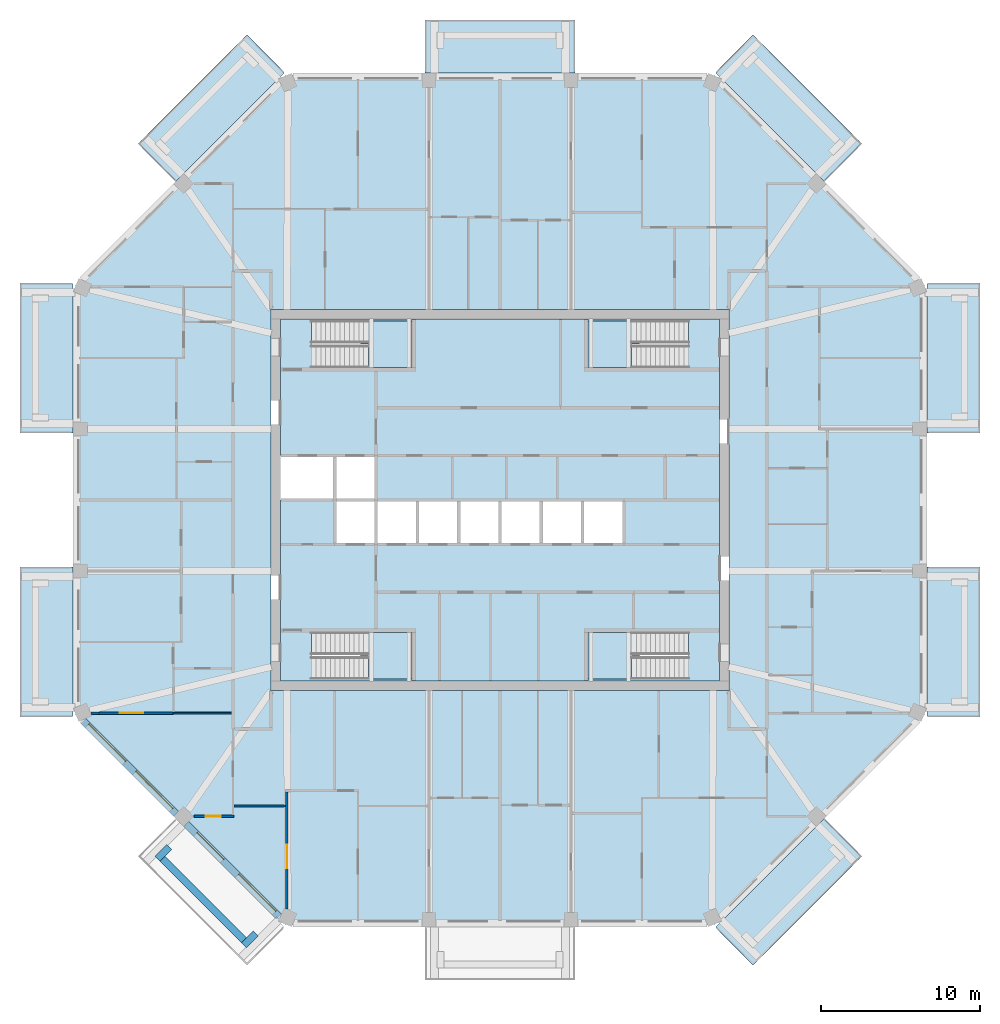
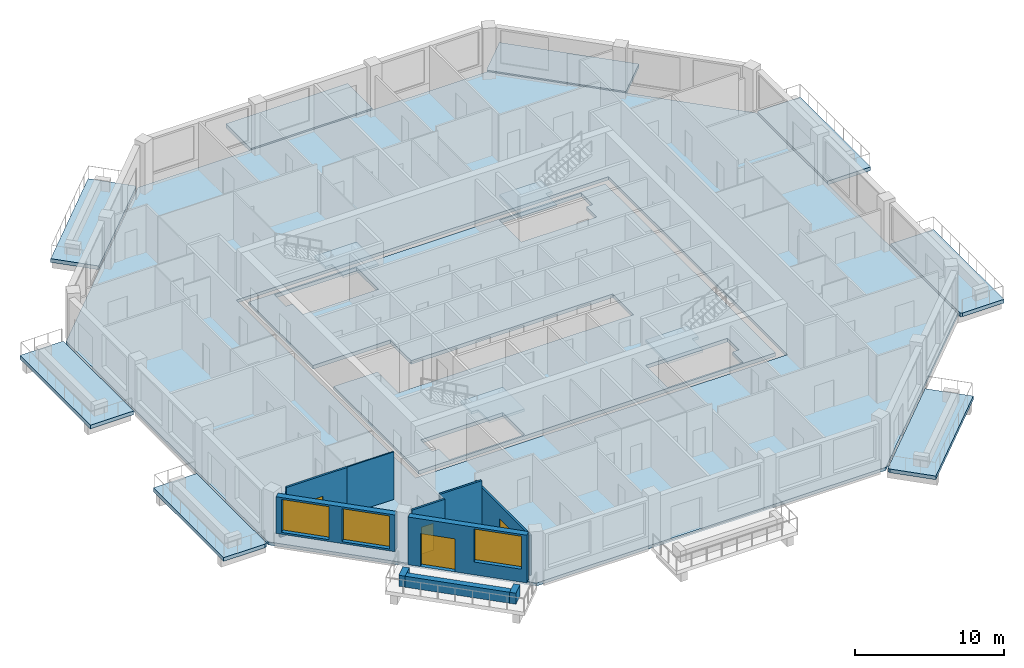
# One storey, part 2 of 12: 14 slabs, 11 walls, 4 doors, 3 windows, 7 openings, 4 elements without a shape of their own.
"""IFC4 building model written with IfcOpenShell, lengths in metres."""

from ifc_helpers import new_model, si_unit, direction, frame, frame_2d, origin, place, context, subcontext, project, spatial, polyline, rectangle, outline, extrude, material, layer, layer_set, type_object, element, fill, aggregate, save


model = new_model("IFC4")

# Units and contexts
model_context = context("Model", 3, precision=1e-05, world=origin(), true_north=direction((0.0, 1.0)))
body_context = subcontext(model_context, "Body", "Model", "MODEL_VIEW")
ifc_project = project(units=[si_unit("LENGTHUNIT", "METRE"), si_unit("AREAUNIT", "SQUARE_METRE"), si_unit("VOLUMEUNIT", "CUBIC_METRE"), si_unit("PLANEANGLEUNIT", "RADIAN"), si_unit("MASSUNIT", "GRAM", prefix="KILO")], contexts=[model_context])

# Site, building, storey
site_placement = place(None, origin())
site = spatial("IfcSite", under=ifc_project, at=site_placement, CompositionType="ELEMENT")
building_placement = place(site_placement, origin())
building = spatial("IfcBuilding", under=site, at=building_placement, Name="Msitu Wima Residences", CompositionType="ELEMENT")
storey_placement = place(building_placement, frame((0.0, 0.0, 310.5)))
storey = spatial("IfcBuildingStorey", under=building, at=storey_placement, Name="L72", CompositionType="ELEMENT", Elevation=310.5)

# Slabs
ifc_material_1 = material(Name="Concrete C40/50", Category="concrete")
ifc_layer_1 = layer(ifc_material_1, 0.300048828125)
ifc_layer_set_1 = layer_set([ifc_layer_1], Name="Concrete C40/50")
slab_type_1 = type_object("IfcSlabType", Name="Balcony slab BS300", PredefinedType="FLOOR", material=ifc_layer_set_1)
slab_1_placement = place(storey_placement, frame((0.0, 0.0, -0.300048828125)))
element("IfcSlab", 1, at=slab_1_placement, inside=storey, type_object=slab_type_1, Name="Balcony E0 L72", PredefinedType="FLOOR", context=body_context, shape_type="SweptSolid", body=[
    extrude(outline(polyline([(26.85009765625, -13.105224609375), (26.85009765625, -13.105224609375), (26.85009765625, -4.918701171875), (26.85009765625, -4.21875), (30.199951171875, -4.21875), (30.199951171875, -13.656005859375), (27.003662109375, -13.656005859375), (26.85009765625, -13.59228515625), (26.85009765625, -13.105224609375), (26.85009765625, -13.105224609375)])), origin(), (0.0, 0.0, 1.0), 0.300048828125),
])
slab_2_placement = place(storey_placement, frame((0.0, 0.0, -0.300048828125)))
element("IfcSlab", 2, at=slab_2_placement, inside=storey, type_object=slab_type_1, Name="Balcony E2 L72", PredefinedType="FLOOR", context=body_context, shape_type="SweptSolid", body=[
    extrude(outline(polyline([(26.85009765625, 13.105224609375), (26.85009765625, 13.105224609375), (26.85009765625, 13.105224609375), (26.85009765625, 13.59228515625), (27.003662109375, 13.656005859375), (30.199951171875, 13.656005859375), (30.199951171875, 4.21875), (26.85009765625, 4.21875), (26.85009765625, 4.918701171875), (26.85009765625, 13.105224609375)])), origin(), (0.0, 0.0, 1.0), 0.300048828125),
])
slab_3_placement = place(storey_placement, frame((0.0, 0.0, -0.300048828125)))
element("IfcSlab", 3, at=slab_3_placement, inside=storey, type_object=slab_type_1, Name="Balcony NE1 L72", PredefinedType="FLOOR", context=body_context, shape_type="SweptSolid", body=[
    extrude(outline(polyline([(13.936767578125, 26.505615234375), (13.936767578125, 26.505615234375), (13.59228515625, 26.85009765625), (13.656005859375, 27.003662109375), (15.916015625, 29.263671875), (22.766845703125, 22.4130859375), (20.39794921875, 20.04443359375), (13.936767578125, 26.505615234375), (13.936767578125, 26.505615234375)])), origin(), (0.0, 0.0, 1.0), 0.300048828125),
])
slab_4_placement = place(storey_placement, frame((0.0, 0.0, -0.300048828125)))
element("IfcSlab", 4, at=slab_4_placement, inside=storey, type_object=slab_type_1, Name="Balcony N1 L72", PredefinedType="FLOOR", context=body_context, shape_type="SweptSolid", body=[
    extrude(outline(polyline([(4.0185546875, 26.85009765625), (-4.0185546875, 26.85009765625), (-4.71875, 26.85009765625), (-4.71875, 30.199951171875), (4.71875, 30.199951171875), (4.71875, 26.85009765625), (4.0185546875, 26.85009765625)])), origin(), (0.0, 0.0, 1.0), 0.300048828125),
])
slab_5_placement = place(storey_placement, frame((0.0, 0.0, -0.300048828125)))
element("IfcSlab", 5, at=slab_5_placement, inside=storey, type_object=slab_type_1, Name="Balcony NW0 L72", PredefinedType="FLOOR", context=body_context, shape_type="SweptSolid", body=[
    extrude(outline(polyline([(-13.936767578125, 26.505615234375), (-13.936767578125, 26.505615234375), (-20.39794921875, 20.04443359375), (-22.766845703125, 22.4130859375), (-15.916015625, 29.263671875), (-13.656005859375, 27.003662109375), (-13.59228515625, 26.85009765625), (-13.936767578125, 26.505615234375), (-13.936767578125, 26.505615234375)])), origin(), (0.0, 0.0, 1.0), 0.300048828125),
])
slab_6_placement = place(storey_placement, frame((0.0, 0.0, -0.300048828125)))
element("IfcSlab", 6, at=slab_6_placement, inside=storey, type_object=slab_type_1, Name="Balcony W0 L72", PredefinedType="FLOOR", context=body_context, shape_type="SweptSolid", body=[
    extrude(outline(polyline([(-26.85009765625, 13.105224609375), (-26.85009765625, 13.105224609375), (-26.85009765625, 4.918701171875), (-26.85009765625, 4.21875), (-30.199951171875, 4.21875), (-30.199951171875, 13.656005859375), (-27.003662109375, 13.656005859375), (-26.85009765625, 13.59228515625), (-26.85009765625, 13.105224609375), (-26.85009765625, 13.105224609375)])), origin(), (0.0, 0.0, 1.0), 0.300048828125),
])
slab_7_placement = place(storey_placement, frame((0.0, 0.0, -0.300048828125)))
element("IfcSlab", 7, at=slab_7_placement, inside=storey, type_object=slab_type_1, Name="Balcony W2 L72", PredefinedType="FLOOR", context=body_context, shape_type="SweptSolid", body=[
    extrude(outline(polyline([(-26.85009765625, -13.105224609375), (-26.85009765625, -13.105224609375), (-26.85009765625, -13.105224609375), (-26.85009765625, -13.59228515625), (-27.003662109375, -13.656005859375), (-30.199951171875, -13.656005859375), (-30.199951171875, -4.21875), (-26.85009765625, -4.21875), (-26.85009765625, -4.918701171875), (-26.85009765625, -13.105224609375)])), origin(), (0.0, 0.0, 1.0), 0.300048828125),
])
slab_8_placement = place(storey_placement, frame((0.0, 0.0, -0.300048828125)))
element("IfcSlab", 8, at=slab_8_placement, inside=storey, type_object=slab_type_1, Name="Balcony SE0 L72", PredefinedType="FLOOR", context=body_context, shape_type="SweptSolid", body=[
    extrude(outline(polyline([(13.936767578125, -26.505615234375), (13.936767578125, -26.505615234375), (20.39794921875, -20.04443359375), (22.766845703125, -22.4130859375), (15.916015625, -29.263671875), (13.656005859375, -27.003662109375), (13.59228515625, -26.85009765625), (13.936767578125, -26.505615234375), (13.936767578125, -26.505615234375)])), origin(), (0.0, 0.0, 1.0), 0.300048828125),
])
ifc_layer_2 = layer(ifc_material_1, 0.300048828125)
ifc_layer_set_2 = layer_set([ifc_layer_2], Name="Concrete C40/50")
slab_type_2 = type_object("IfcSlabType", Name="Core floor CF300", PredefinedType="FLOOR", material=ifc_layer_set_2)
slab_9_placement = place(storey_placement, frame((0.0, 0.0, -0.300048828125)))
element("IfcSlab", 9, at=slab_9_placement, inside=storey, type_object=slab_type_2, Name="Core floor", PredefinedType="FLOOR", context=body_context, shape_type="SweptSolid", body=[
    extrude(outline(polyline([(-13.800048828125, 11.39990234375), (-13.800048828125, 2.800048828125), (-10.39990234375, 2.800048828125), (-7.800048828125, 2.800048828125), (-7.800048828125, 0.0), (-5.199951171875, 0.0), (-2.60009765625, 0.0), (0.0, 0.0), (2.60009765625, 0.0), (5.199951171875, 0.0), (7.800048828125, 0.0), (7.800048828125, -2.800048828125), (5.199951171875, -2.800048828125), (2.60009765625, -2.800048828125), (0.0, -2.800048828125), (-2.60009765625, -2.800048828125), (-5.199951171875, -2.800048828125), (-7.800048828125, -2.800048828125), (-10.39990234375, -2.800048828125), (-10.39990234375, 0.0), (-13.800048828125, 0.0), (-13.800048828125, -11.39990234375), (13.800048828125, -11.39990234375), (13.800048828125, 11.39990234375), (-13.800048828125, 11.39990234375)]), holes=[polyline([(-11.375, -11.27490234375), (-11.375, -9.875), (-11.87451171875, -9.875), (-11.87451171875, -8.324951171875), (-5.52490234375, -8.324951171875), (-5.52490234375, -11.27490234375), (-11.375, -11.27490234375)]), polyline([(-11.375, 8.324951171875), (-11.375, 9.72509765625), (-11.87451171875, 9.72509765625), (-11.87451171875, 11.27490234375), (-5.52490234375, 11.27490234375), (-5.52490234375, 8.324951171875), (-11.375, 8.324951171875)]), polyline([(11.375, -9.875), (11.375, -11.27490234375), (5.52490234375, -11.27490234375), (5.52490234375, -8.324951171875), (11.87451171875, -8.324951171875), (11.87451171875, -9.875), (11.375, -9.875)]), polyline([(11.375, 9.72509765625), (11.375, 8.324951171875), (5.52490234375, 8.324951171875), (5.52490234375, 11.27490234375), (11.87451171875, 11.27490234375), (11.87451171875, 9.72509765625), (11.375, 9.72509765625)])]), origin(), (0.0, 0.0, 1.0), 0.300048828125),
])
ifc_layer_3 = layer(ifc_material_1, 0.25)
ifc_layer_set_3 = layer_set([ifc_layer_3], Name="Concrete C40/50")
slab_type_3 = type_object("IfcSlabType", Name="PT flat slab 250 Concrete C40/50", PredefinedType="FLOOR", material=ifc_layer_set_3)
slab_10_placement = place(storey_placement, frame((0.0, 0.0, -0.25)))
element("IfcSlab", 10, at=slab_10_placement, inside=storey, type_object=slab_type_3, Name="Floor slab L72", PredefinedType="FLOOR", context=body_context, shape_type="SweptSolid", body=[
    extrude(outline(polyline([(26.699951171875, -13.5302734375), (13.5302734375, -26.699951171875), (-13.5302734375, -26.699951171875), (-26.699951171875, -13.5302734375), (-26.699951171875, 13.5302734375), (-13.5302734375, 26.699951171875), (13.5302734375, 26.699951171875), (26.699951171875, 13.5302734375), (26.699951171875, -13.5302734375)]), holes=[polyline([(-14.39990234375, -12.0), (14.39990234375, -12.0), (14.39990234375, 12.0), (-14.39990234375, 12.0), (-14.39990234375, -12.0)])]), origin(), (0.0, 0.0, 1.0), 0.25),
])

# Stair, slab
stair_type = type_object("IfcStairType", Name="Exit stair ES1615-140", PredefinedType="HALF_TURN_STAIR", material=ifc_material_1)
stair_1_placement = place(storey_placement, origin())
stair_1 = element("IfcStair", 11, at=stair_1_placement, inside=storey, type_object=stair_type, Name="Exit stair 1", PredefinedType="HALF_TURN_STAIR")
ifc_layer_4 = layer(ifc_material_1, 0.199951171875)
ifc_layer_set_4 = layer_set([ifc_layer_4], Name="Concrete C40/50")
slab_type_4 = type_object("IfcSlabType", Name="Stair landing SL200", PredefinedType="LANDING", material=ifc_layer_set_4)
slab_11_placement = place(storey_placement, frame((0.0, 0.0, 1.89990234375)))
slab_11 = element("IfcSlab", 12, at=slab_11_placement, type_object=slab_type_4, Name="S1 landing 1", PredefinedType="LANDING", context=body_context, shape_type="SweptSolid", body=[
    extrude(outline(polyline([(-5.52490234375, 8.324951171875), (-8.275390625, 8.324951171875), (-8.275390625, 9.800048828125), (-8.77490234375, 9.800048828125), (-8.77490234375, 11.27490234375), (-5.52490234375, 11.27490234375), (-5.52490234375, 8.324951171875)])), origin(), (0.0, 0.0, 1.0), 0.2001953125),
])
aggregate(stair_1, [slab_11])

stair_2_placement = place(storey_placement, origin())
stair_2 = element("IfcStair", 13, at=stair_2_placement, inside=storey, type_object=stair_type, Name="Exit stair 2", PredefinedType="HALF_TURN_STAIR")
slab_12_placement = place(storey_placement, frame((0.0, 0.0, 1.89990234375)))
slab_12 = element("IfcSlab", 14, at=slab_12_placement, type_object=slab_type_4, Name="S2 landing 1", PredefinedType="LANDING", context=body_context, shape_type="SweptSolid", body=[
    extrude(outline(polyline([(-5.52490234375, -11.27490234375), (-8.275390625, -11.27490234375), (-8.275390625, -9.800048828125), (-8.77490234375, -9.800048828125), (-8.77490234375, -8.324951171875), (-5.52490234375, -8.324951171875), (-5.52490234375, -11.27490234375)])), origin(), (0.0, 0.0, 1.0), 0.2001953125),
])
aggregate(stair_2, [slab_12])

stair_3_placement = place(storey_placement, origin())
stair_3 = element("IfcStair", 15, at=stair_3_placement, inside=storey, type_object=stair_type, Name="Exit stair 3", PredefinedType="HALF_TURN_STAIR")
slab_13_placement = place(storey_placement, frame((0.0, 0.0, 1.89990234375)))
slab_13 = element("IfcSlab", 16, at=slab_13_placement, type_object=slab_type_4, Name="S3 landing 1", PredefinedType="LANDING", context=body_context, shape_type="SweptSolid", body=[
    extrude(outline(polyline([(5.52490234375, 8.324951171875), (8.275390625, 8.324951171875), (8.275390625, 9.800048828125), (8.77490234375, 9.800048828125), (8.77490234375, 11.27490234375), (5.52490234375, 11.27490234375), (5.52490234375, 8.324951171875)])), origin(), (0.0, 0.0, 1.0), 0.2001953125),
])
aggregate(stair_3, [slab_13])

stair_4_placement = place(storey_placement, origin())
stair_4 = element("IfcStair", 17, at=stair_4_placement, inside=storey, type_object=stair_type, Name="Exit stair 4", PredefinedType="HALF_TURN_STAIR")
slab_14_placement = place(storey_placement, frame((0.0, 0.0, 1.89990234375)))
slab_14 = element("IfcSlab", 18, at=slab_14_placement, type_object=slab_type_4, Name="S4 landing 1", PredefinedType="LANDING", context=body_context, shape_type="SweptSolid", body=[
    extrude(outline(polyline([(5.52490234375, -11.27490234375), (8.275390625, -11.27490234375), (8.275390625, -9.800048828125), (8.77490234375, -9.800048828125), (8.77490234375, -8.324951171875), (5.52490234375, -8.324951171875), (5.52490234375, -11.27490234375)])), origin(), (0.0, 0.0, 1.0), 0.2001953125),
])
aggregate(stair_4, [slab_14])

# Walls
ifc_material_2 = material(Name="Facing brick")
ifc_layer_5 = layer(ifc_material_2, 0.06494140625, Name="Facing brick")
ifc_layer_6 = layer(ifc_material_1, 0.156005859375, Name="Concrete C40/50")
ifc_material_3 = material(Name="Waterproofing membrane")
ifc_layer_7 = layer(ifc_material_3, 0.00390625, Name="Waterproofing membrane")
ifc_material_4 = material(Name="Planting soil and planting")
ifc_layer_8 = layer(ifc_material_4, 0.22509765625, Name="Planting soil and planting")
ifc_layer_set_5 = layer_set([ifc_layer_5, ifc_layer_6, ifc_layer_7, ifc_layer_8], Name="Concrete C40/50")
wall_type_1 = type_object("IfcWallType", Name="Balcony planter PLANTER PL450", PredefinedType="USERDEFINED", material=ifc_layer_set_5)
wall_1_placement = place(storey_placement, frame((-21.228759765625, -22.572265625, 0.0), z_axis=(0.0, 0.0, 1.0), x_axis=(0.707106781187, -0.707106781187, 0.0)))
element("IfcWall", 19, at=wall_1_placement, inside=storey, type_object=wall_type_1, Name="Balcony planter SW1 L72", ObjectType="PLANTER", PredefinedType="USERDEFINED", context=body_context, shape_type="SweptSolid", body=[
    extrude(rectangle(XDim=7.23828125, YDim=0.449951171875, at=frame_2d((3.619140625, 0.0))), origin(), (0.0, 0.0, 1.0), 0.89990234375),
])
for number, where, z_axis, x_axis, name in (
    (20, (-20.804443359375, -21.829833984375, 0.0), (0.0, 0.0, 1.0), (-0.707106781187, -0.707106781187, 0.0), "Balcony planter SW1 L72"),
    (21, (-15.3681640625, -27.26611328125, 0.0), (0.0, 0.0, 1.0), (-0.706990528533, -0.707223014731, 0.0), "Balcony planter SW1 L72"),
):
    element("IfcWall", number, at=place(storey_placement, frame(where, z_axis=z_axis, x_axis=x_axis)), inside=storey, type_object=wall_type_1, Name=name, ObjectType="PLANTER", PredefinedType="USERDEFINED", context=body_context, shape_type="SweptSolid", body=[
        extrude(rectangle(XDim=1.050048828125, YDim=0.449951171875, at=frame_2d((0.52490234375, 0.0))), origin(), (0.0, 0.0, 1.0), 0.89990234375),
    ])

# Wall, openings, windows
ifc_material_5 = material(Name="Brick (red buff mix)", Category="masonry")
ifc_layer_9 = layer(ifc_material_5, 0.449951171875)
ifc_layer_set_6 = layer_set([ifc_layer_9], Name="Brick (red buff mix)")
wall_type_2 = type_object("IfcWallType", Name="Brick infill wall BW450", PredefinedType="SOLIDWALL", material=ifc_layer_set_6)
wall_2_placement = place(storey_placement, frame((-26.214599609375, -13.909423828125, 0.89990234375), z_axis=(0.0, 0.0, 1.0), x_axis=(0.707106781187, -0.707106781187, 0.0)))
wall_2 = element("IfcWall", 22, at=wall_2_placement, inside=storey, type_object=wall_type_2, Name="Brick infill wall L72 SW0", PredefinedType="SOLIDWALL", context=body_context, shape_type="SweptSolid", body=[
    extrude(rectangle(XDim=8.251220703125, YDim=0.449951171875, at=frame_2d((4.12548828125, 0.0))), origin(), (0.0, 0.0, 1.0), 3.0),
])
opening_1_placement = place(wall_2_placement, frame((0.37548828125, 0.0, 0.14990234375)))
opening_1 = element("IfcOpeningElement", 23, at=opening_1_placement, cuts=wall_2, Name="Opening W72.024", PredefinedType="OPENING", context=body_context, shape_type="SweptSolid", body=[
    extrude(rectangle(XDim=3.300048828125, YDim=2.699951171875, at=frame_2d((1.64990234375, 1.35009765625))), frame((0.0, 0.23486328125, 0.0), z_axis=(0.0, -1.0, 0.0), x_axis=(1.0, 0.0, 0.0)), (0.0, 0.0, 1.0), 0.469970703125),
])
opening_2_placement = place(wall_2_placement, frame((4.57568359375, 0.0, 0.14990234375)))
opening_2 = element("IfcOpeningElement", 24, at=opening_2_placement, cuts=wall_2, Name="Opening W72.025", PredefinedType="OPENING", context=body_context, shape_type="SweptSolid", body=[
    extrude(rectangle(XDim=3.300048828125, YDim=2.699951171875, at=frame_2d((1.64990234375, 1.35009765625))), frame((0.0, 0.23486328125, 0.0), z_axis=(0.0, -1.0, 0.0), x_axis=(1.0, 0.0, 0.0)), (0.0, 0.0, 1.0), 0.469970703125),
])
ifc_material_6 = material(Name="Anodised aluminium, bronze finish, clear low-emissivity double glazing", Category="aluminium")
window_type = type_object("IfcWindowType", Name="Window W3300x2700", PartitioningType="DOUBLE_PANEL_VERTICAL", PredefinedType="WINDOW", material=ifc_material_6)
window_1_placement = place(opening_1_placement, origin())
window_1 = element("IfcWindow", 25, at=window_1_placement, inside=storey, type_object=window_type, Name="Window L72 SW0.1", OverallHeight=2.699951171875, OverallWidth=3.300048828125, PartitioningType="SINGLE_PANEL", PredefinedType="WINDOW", context=body_context, shape_type="SweptSolid", body=[
    extrude(rectangle(XDim=3.300048828125, YDim=2.699951171875, at=frame_2d((1.64990234375, 1.35009765625))), frame((0.0, 0.135009765625, 0.0), z_axis=(0.0, -1.0, 0.0), x_axis=(1.0, 0.0, 0.0)), (0.0, 0.0, 1.0), 0.06005859375),
])
fill(opening_1, window_1)
window_2_placement = place(opening_2_placement, origin())
window_2 = element("IfcWindow", 26, at=window_2_placement, inside=storey, type_object=window_type, Name="Window L72 SW0.2", OverallHeight=2.699951171875, OverallWidth=3.300048828125, PartitioningType="SINGLE_PANEL", PredefinedType="WINDOW", context=body_context, shape_type="SweptSolid", body=[
    extrude(rectangle(XDim=3.300048828125, YDim=2.699951171875, at=frame_2d((1.64990234375, 1.35009765625))), frame((0.0, 0.135009765625, 0.0), z_axis=(0.0, -1.0, 0.0), x_axis=(1.0, 0.0, 0.0)), (0.0, 0.0, 1.0), 0.06005859375),
])
fill(opening_2, window_2)

# Wall, openings, door, window
wall_3_placement = place(storey_placement, frame((-19.743896484375, -20.380126953125, 0.0), z_axis=(0.0, 0.0, 1.0), x_axis=(0.707106781187, -0.707106781187, 0.0)))
wall_3 = element("IfcWall", 27, at=wall_3_placement, inside=storey, type_object=wall_type_2, Name="Brick infill wall L72 SW1", PredefinedType="SOLIDWALL", context=body_context, shape_type="SweptSolid", body=[
    extrude(rectangle(XDim=8.251220703125, YDim=0.449951171875, at=frame_2d((4.12548828125, 0.0))), origin(), (0.0, 0.0, 1.0), 3.89990234375),
])
opening_3_placement = place(wall_3_placement, frame((0.86279296875, 0.0, 0.0)))
opening_3 = element("IfcOpeningElement", 28, at=opening_3_placement, cuts=wall_3, Name="Opening D72.008", PredefinedType="OPENING", context=body_context, shape_type="SweptSolid", body=[
    extrude(rectangle(XDim=2.39990234375, YDim=2.699951171875, at=frame_2d((1.199951171875, 1.35009765625))), frame((0.0, 0.23486328125, 0.0), z_axis=(0.0, -1.0, 0.0), x_axis=(1.0, 0.0, 0.0)), (0.0, 0.0, 1.0), 0.469970703125),
])
opening_4_placement = place(wall_3_placement, frame((4.57568359375, 0.0, 1.050048828125)))
opening_4 = element("IfcOpeningElement", 29, at=opening_4_placement, cuts=wall_3, Name="Opening W72.026", PredefinedType="OPENING", context=body_context, shape_type="SweptSolid", body=[
    extrude(rectangle(XDim=3.300048828125, YDim=2.699951171875, at=frame_2d((1.64990234375, 1.35009765625))), frame((0.0, 0.23486328125, 0.0), z_axis=(0.0, -1.0, 0.0), x_axis=(1.0, 0.0, 0.0)), (0.0, 0.0, 1.0), 0.469970703125),
])
door_type_1 = type_object("IfcDoorType", Name="Balcony door D2400x2700", OperationType="SLIDING_TO_LEFT", PredefinedType="DOOR", material=ifc_material_6)
door_1_placement = place(opening_3_placement, origin())
door_1 = element("IfcDoor", 30, at=door_1_placement, inside=storey, type_object=door_type_1, Name="Balcony door L72 SW1", OperationType="SINGLE_SWING_LEFT", OverallHeight=2.699951171875, OverallWidth=2.39990234375, PredefinedType="DOOR", context=body_context, shape_type="SweptSolid", body=[
    extrude(rectangle(XDim=2.39990234375, YDim=2.699951171875, at=frame_2d((1.199951171875, 1.35009765625))), frame((0.0, 0.1298828125, 0.0), z_axis=(0.0, -1.0, 0.0), x_axis=(1.0, 0.0, 0.0)), (0.0, 0.0, 1.0), 0.050048828125),
])
fill(opening_3, door_1)
window_3_placement = place(opening_4_placement, origin())
window_3 = element("IfcWindow", 31, at=window_3_placement, inside=storey, type_object=window_type, Name="Window L72 SW1.2", OverallHeight=2.699951171875, OverallWidth=3.300048828125, PartitioningType="SINGLE_PANEL", PredefinedType="WINDOW", context=body_context, shape_type="SweptSolid", body=[
    extrude(rectangle(XDim=3.300048828125, YDim=2.699951171875, at=frame_2d((1.64990234375, 1.35009765625))), frame((0.0, 0.135009765625, 0.0), z_axis=(0.0, -1.0, 0.0), x_axis=(1.0, 0.0, 0.0)), (0.0, 0.0, 1.0), 0.06005859375),
])
fill(opening_4, window_3)

# Wall
ifc_material_7 = material(Name="Plaster")
ifc_layer_10 = layer(ifc_material_7, 0.011962890625, Name="Plaster")
ifc_material_8 = material(Name="Concrete blockwork", Category="masonry")
ifc_layer_11 = layer(ifc_material_8, 0.1259765625, Name="Concrete blockwork")
ifc_layer_12 = layer(ifc_material_7, 0.011962890625, Name="Plaster")
ifc_layer_set_7 = layer_set([ifc_layer_10, ifc_layer_11, ifc_layer_12], Name="Concrete blockwork")
wall_type_3 = type_object("IfcWallType", Name="Partition PW150", PredefinedType="PARTITIONING", material=ifc_layer_set_7)
wall_4_placement = place(storey_placement, frame((-25.731201171875, -13.406005859375, 0.0), z_axis=(0.0, 0.0, 1.0), x_axis=(1.0, 0.0, 0.0)))
element("IfcWall", 32, at=wall_4_placement, inside=storey, type_object=wall_type_3, Name="Partition", PredefinedType="PARTITIONING", context=body_context, shape_type="SweptSolid", body=[
    extrude(rectangle(XDim=0.507080078125, YDim=0.14990234375, at=frame_2d((0.25341796875, 0.0))), origin(), (0.0, 0.0, 1.0), 3.300048828125),
])

# Wall, opening, door
wall_5_placement = place(storey_placement, frame((-25.22412109375, -13.406005859375, 0.0), z_axis=(0.0, 0.0, 1.0), x_axis=(1.0, 0.0, 0.0)))
wall_5 = element("IfcWall", 33, at=wall_5_placement, inside=storey, type_object=wall_type_3, Name="Partition", PredefinedType="PARTITIONING", context=body_context, shape_type="SweptSolid", body=[
    extrude(rectangle(XDim=4.674072265625, YDim=0.14990234375, at=frame_2d((2.3369140625, 0.0))), origin(), (0.0, 0.0, 1.0), 3.89990234375),
])
opening_5_placement = place(wall_5_placement, frame((1.29296875, 0.0, 0.0)))
opening_5 = element("IfcOpeningElement", 34, at=opening_5_placement, cuts=wall_5, Name="Opening D72.059", PredefinedType="OPENING", context=body_context, shape_type="SweptSolid", body=[
    extrude(rectangle(XDim=1.5, YDim=2.199951171875, at=frame_2d((0.75, 1.10009765625))), frame((0.0, 0.0849609375, 0.0), z_axis=(0.0, -1.0, 0.0), x_axis=(1.0, 0.0, 0.0)), (0.0, 0.0, 1.0), 0.169921875),
])
ifc_material_9 = material(Name="Timber double door", Category="wood")
door_type_2 = type_object("IfcDoorType", Name="Double door D04 1500x2200", OperationType="DOUBLE_DOOR_SINGLE_SWING", PredefinedType="DOOR", material=ifc_material_9)
door_2_placement = place(opening_5_placement, origin())
door_2 = element("IfcDoor", 35, at=door_2_placement, inside=storey, type_object=door_type_2, Name="Double door", OperationType="DOUBLE_DOOR_SINGLE_SWING", OverallHeight=2.199951171875, OverallWidth=1.5, PredefinedType="DOOR", context=body_context, shape_type="SweptSolid", body=[
    extrude(rectangle(XDim=1.5, YDim=2.199951171875, at=frame_2d((0.75, 1.10009765625))), frame((0.0, 0.02490234375, 0.0), z_axis=(0.0, -1.0, 0.0), x_axis=(1.0, 0.0, 0.0)), (0.0, 0.0, 1.0), 0.050048828125),
])
fill(opening_5, door_2)

wall_6_placement = place(storey_placement, frame((-19.2666015625, -19.90283203125, 0.0), z_axis=(0.0, 0.0, 1.0), x_axis=(1.0, 0.0, 0.0)))
wall_6 = element("IfcWall", 36, at=wall_6_placement, inside=storey, type_object=wall_type_3, Name="Partition", PredefinedType="PARTITIONING", context=body_context, shape_type="SweptSolid", body=[
    extrude(rectangle(XDim=2.54150390625, YDim=0.14990234375, at=frame_2d((1.270751953125, 0.0))), origin(), (0.0, 0.0, 1.0), 3.89990234375),
])
opening_6_placement = place(wall_6_placement, frame((0.75, 0.0, 0.0)))
opening_6 = element("IfcOpeningElement", 37, at=opening_6_placement, cuts=wall_6, Name="Opening D72.061", PredefinedType="OPENING", context=body_context, shape_type="SweptSolid", body=[
    extrude(rectangle(XDim=0.949951171875, YDim=2.199951171875, at=frame_2d((0.47509765625, 1.10009765625))), frame((0.0, 0.0849609375, 0.0), z_axis=(0.0, -1.0, 0.0), x_axis=(1.0, 0.0, 0.0)), (0.0, 0.0, 1.0), 0.169921875),
])
ifc_material_10 = material(Name="Timber flush door", Category="wood")
door_type_3 = type_object("IfcDoorType", Name="Room door D12 950x2200", OperationType="SINGLE_SWING_LEFT", PredefinedType="DOOR", material=ifc_material_10)
door_3_placement = place(opening_6_placement, origin())
door_3 = element("IfcDoor", 38, at=door_3_placement, inside=storey, type_object=door_type_3, Name="Room door", OperationType="SINGLE_SWING_RIGHT", OverallHeight=2.199951171875, OverallWidth=0.949951171875, PredefinedType="DOOR", context=body_context, shape_type="SweptSolid", body=[
    extrude(rectangle(XDim=0.949951171875, YDim=2.199951171875, at=frame_2d((0.47509765625, 1.10009765625))), frame((0.0, 0.02490234375, 0.0), z_axis=(0.0, -1.0, 0.0), x_axis=(1.0, 0.0, 0.0)), (0.0, 0.0, 1.0), 0.050048828125),
])
fill(opening_6, door_3)

# Wall
wall_7_placement = place(storey_placement, frame((-16.72509765625, -19.25, 0.0), z_axis=(0.0, 0.0, 1.0), x_axis=(1.0, 0.0, 0.0)))
element("IfcWall", 39, at=wall_7_placement, inside=storey, type_object=wall_type_3, Name="Partition", PredefinedType="PARTITIONING", context=body_context, shape_type="SweptSolid", body=[
    extrude(rectangle(XDim=3.244140625, YDim=0.14990234375, at=frame_2d((1.6220703125, 0.0))), origin(), (0.0, 0.0, 1.0), 3.89990234375),
])

# Wall, opening, door
wall_8_placement = place(storey_placement, frame((-13.406005859375, -25.731201171875, 0.0), z_axis=(0.0, 0.0, 1.0), x_axis=(0.0, 1.0, 0.0)))
wall_8 = element("IfcWall", 40, at=wall_8_placement, inside=storey, type_object=wall_type_3, Name="Partition", PredefinedType="PARTITIONING", context=body_context, shape_type="SweptSolid", body=[
    extrude(rectangle(XDim=7.356201171875, YDim=0.14990234375, at=frame_2d((3.67822265625, 0.0))), origin(), (0.0, 0.0, 1.0), 3.300048828125),
])
opening_7_placement = place(wall_8_placement, frame((2.550048828125, 0.0, 0.0)))
opening_7 = element("IfcOpeningElement", 41, at=opening_7_placement, cuts=wall_8, Name="Opening D72.062", PredefinedType="OPENING", context=body_context, shape_type="SweptSolid", body=[
    extrude(rectangle(XDim=1.5, YDim=2.199951171875, at=frame_2d((0.75, 1.10009765625))), frame((0.0, 0.0849609375, 0.0), z_axis=(0.0, -1.0, 0.0), x_axis=(1.0, 0.0, 0.0)), (0.0, 0.0, 1.0), 0.169921875),
])
door_4_placement = place(opening_7_placement, origin())
door_4 = element("IfcDoor", 42, at=door_4_placement, inside=storey, type_object=door_type_2, Name="Double door", OperationType="DOUBLE_DOOR_SINGLE_SWING", OverallHeight=2.199951171875, OverallWidth=1.5, PredefinedType="DOOR", context=body_context, shape_type="SweptSolid", body=[
    extrude(rectangle(XDim=1.5, YDim=2.199951171875, at=frame_2d((0.75, 1.10009765625))), frame((0.0, 0.02490234375, 0.0), z_axis=(0.0, -1.0, 0.0), x_axis=(1.0, 0.0, 0.0)), (0.0, 0.0, 1.0), 0.050048828125),
])
fill(opening_7, door_4)

# Wall
ifc_material_11 = material(Name="Ceramic tiles")
ifc_layer_13 = layer(ifc_material_11, 0.008056640625, Name="Ceramic tiles")
ifc_material_12 = material(Name="Moisture-resistant board")
ifc_layer_14 = layer(ifc_material_12, 0.012451171875, Name="Moisture-resistant board")
ifc_material_13 = material(Name="Light-gauge stud framing with mineral wool")
ifc_layer_15 = layer(ifc_material_13, 0.06689453125, Name="Light-gauge stud framing with mineral wool")
ifc_layer_16 = layer(ifc_material_12, 0.012451171875, Name="Moisture-resistant board")
ifc_layer_set_8 = layer_set([ifc_layer_13, ifc_layer_14, ifc_layer_15, ifc_layer_16], Name="Light-gauge stud framing with mineral wool")
wall_type_4 = type_object("IfcWallType", Name="Wet wall PW100", PredefinedType="PARTITIONING", material=ifc_layer_set_8)
wall_9_placement = place(storey_placement, frame((-20.550048828125, -13.406005859375, 0.0), z_axis=(0.0, 0.0, 1.0), x_axis=(1.0, 0.0, 0.0)))
element("IfcWall", 43, at=wall_9_placement, inside=storey, type_object=wall_type_4, Name="Wet wall", PredefinedType="PARTITIONING", context=body_context, shape_type="SweptSolid", body=[
    extrude(rectangle(XDim=3.650146484375, YDim=0.10009765625, at=frame_2d((1.8251953125, 0.0))), origin(), (0.0, 0.0, 1.0), 3.89990234375),
])

save(model, "model.ifc")
